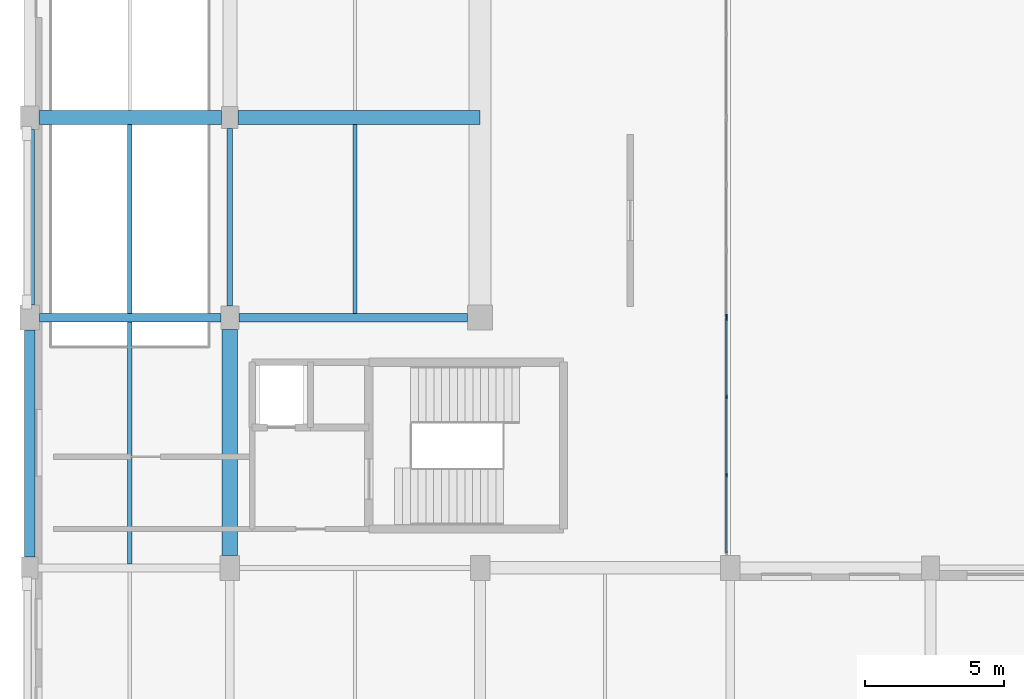
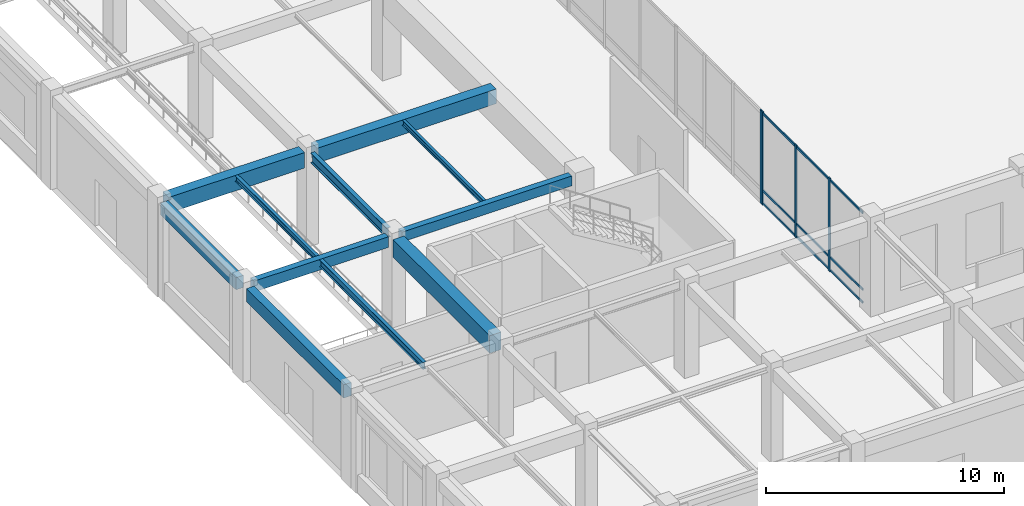
# One storey, part 9 of 64: 13 members, 11 beams, 2 elements without a shape of their own.
"""IFC4 building model written with IfcOpenShell, lengths in metres."""

from ifc_helpers import new_model, si_unit, direction, frame, origin, origin_2d, place, context, subcontext, project, spatial, rectangle, i_section, extrude, material, material_profile, profile_set, type_object, element, aggregate, save


model = new_model("IFC4")

# Units and contexts
model_context = context("Model", 3, precision=1e-05, world=origin(), true_north=direction((0.0, 1.0)))
body_context = subcontext(model_context, "Body", "Model", "MODEL_VIEW")
ifc_project = project(units=[si_unit("LENGTHUNIT", "METRE"), si_unit("AREAUNIT", "SQUARE_METRE"), si_unit("VOLUMEUNIT", "CUBIC_METRE"), si_unit("PLANEANGLEUNIT", "RADIAN"), si_unit("MASSUNIT", "GRAM", prefix="KILO")], contexts=[model_context])

# Site, building, storey
site_placement = place(None, origin())
site = spatial("IfcSite", under=ifc_project, at=site_placement, CompositionType="ELEMENT")
building_placement = place(site_placement, origin())
building = spatial("IfcBuilding", under=site, at=building_placement, Name="Clarverna Civic Hall", CompositionType="ELEMENT")
storey_placement = place(building_placement, origin())
storey = spatial("IfcBuildingStorey", under=building, at=storey_placement, Name="L00", CompositionType="ELEMENT", Elevation=0.0)

# Beams
ifc_material_1 = material(Name="Concrete C35/45", Category="concrete")
ifc_material_profile_1 = material_profile(ifc_material_1, rectangle(XDim=0.300048828125, YDim=0.550048828125, at=origin_2d()), Name="RC 300x550")
ifc_profile_set_1 = profile_set([ifc_material_profile_1], Name="Concrete C35/45")
beam_type_1 = type_object("IfcBeamType", Name="B-RC11", PredefinedType="BEAM", material=ifc_profile_set_1)
beam_1_placement = place(storey_placement, frame((0.35009765625, 23.0, 4.5048828125), z_axis=(1.0, 0.0, 0.0), x_axis=(0.0, 1.0, 0.0)))
element("IfcBeam", 1, at=beam_1_placement, inside=storey, type_object=beam_type_1, Name="B-RC11-018", PredefinedType="BEAM", context=body_context, shape_type="SweptSolid", body=[
    extrude(rectangle(XDim=0.300048828125, YDim=0.550048828125, at=origin_2d()), origin(), (0.0, 0.0, 1.0), 6.52490234375),
])
ifc_material_profile_2 = material_profile(ifc_material_1, rectangle(XDim=0.300048828125, YDim=0.5, at=origin_2d()), Name="RC 300x500")
ifc_profile_set_2 = profile_set([ifc_material_profile_2], Name="Concrete C35/45")
beam_type_2 = type_object("IfcBeamType", Name="B-RC12", PredefinedType="BEAM", material=ifc_profile_set_2)
beam_2_placement = place(storey_placement, frame((7.52490234375, 23.0, 4.530029296875), z_axis=(1.0, 0.0, 0.0), x_axis=(0.0, 1.0, 0.0)))
element("IfcBeam", 2, at=beam_2_placement, inside=storey, type_object=beam_type_2, Name="B-RC12-019", PredefinedType="BEAM", context=body_context, shape_type="SweptSolid", body=[
    extrude(rectangle(XDim=0.300048828125, YDim=0.5, at=origin_2d()), origin(), (0.0, 0.0, 1.0), 8.22509765625),
])
ifc_material_profile_3 = material_profile(ifc_material_1, rectangle(XDim=0.550048828125, YDim=0.89990234375, at=origin_2d()), Name="RC 550x900")
ifc_profile_set_3 = profile_set([ifc_material_profile_3], Name="Concrete C35/45")
beam_type_3 = type_object("IfcBeamType", Name="B-RC13", PredefinedType="BEAM", material=ifc_profile_set_3)
beam_3_placement = place(storey_placement, frame((7.199951171875, 14.449951171875, 4.330078125), z_axis=(0.0, 1.0, 0.0), x_axis=(-1.0, 0.0, 0.0)))
element("IfcBeam", 3, at=beam_3_placement, inside=storey, type_object=beam_type_3, Name="B-RC13-017", PredefinedType="BEAM", context=body_context, shape_type="SweptSolid", body=[
    extrude(rectangle(XDim=0.550048828125, YDim=0.89990234375, at=origin_2d()), origin(), (0.0, 0.0, 1.0), 8.125),
])
ifc_material_profile_4 = material_profile(ifc_material_1, rectangle(XDim=0.5, YDim=0.800048828125, at=origin_2d()), Name="RC 500x800")
ifc_profile_set_4 = profile_set([ifc_material_profile_4], Name="Concrete C35/45")
beam_type_4 = type_object("IfcBeamType", Name="B-RC14", PredefinedType="BEAM", material=ifc_profile_set_4)
beam_4_placement = place(storey_placement, frame((0.324951171875, 30.199951171875, 4.3798828125), z_axis=(1.0, 0.0, 0.0), x_axis=(0.0, 1.0, 0.0)))
element("IfcBeam", 4, at=beam_4_placement, inside=storey, type_object=beam_type_4, Name="B-RC14-018", PredefinedType="BEAM", context=body_context, shape_type="SweptSolid", body=[
    extrude(rectangle(XDim=0.5, YDim=0.800048828125, at=origin_2d()), origin(), (0.0, 0.0, 1.0), 6.574951171875),
])
ifc_material_profile_5 = material_profile(ifc_material_1, rectangle(XDim=0.5, YDim=0.75, at=origin_2d()), Name="RC 500x750")
ifc_profile_set_5 = profile_set([ifc_material_profile_5], Name="Concrete C35/45")
beam_type_5 = type_object("IfcBeamType", Name="B-RC15", PredefinedType="BEAM", material=ifc_profile_set_5)
beam_5_placement = place(storey_placement, frame((7.5, 30.199951171875, 4.405029296875), z_axis=(1.0, 0.0, 0.0), x_axis=(0.0, 1.0, 0.0)))
element("IfcBeam", 5, at=beam_5_placement, inside=storey, type_object=beam_type_5, Name="B-RC15-018", PredefinedType="BEAM", context=body_context, shape_type="SweptSolid", body=[
    extrude(rectangle(XDim=0.5, YDim=0.75, at=origin_2d()), origin(), (0.0, 0.0, 1.0), 8.699951171875),
])
ifc_material_profile_6 = material_profile(ifc_material_1, rectangle(XDim=0.3798828125, YDim=0.679931640625, at=origin_2d()), Name="RC 380x680")
ifc_profile_set_6 = profile_set([ifc_material_profile_6], Name="Concrete C35/45")
beam_type_6 = type_object("IfcBeamType", Name="B-SP2", PredefinedType="SPANDREL", material=ifc_profile_set_6)
beam_6_placement = place(storey_placement, frame((0.0, 14.39990234375, 4.43994140625), z_axis=(0.0, 1.0, 0.0), x_axis=(-1.0, 0.0, 0.0)))
element("IfcBeam", 6, at=beam_6_placement, inside=storey, type_object=beam_type_6, Name="B-SP2-042", PredefinedType="SPANDREL", context=body_context, shape_type="SweptSolid", body=[
    extrude(rectangle(XDim=0.3798828125, YDim=0.679931640625, at=origin_2d()), origin(), (0.0, 0.0, 1.0), 8.150146484375),
])
ifc_material_profile_7 = material_profile(ifc_material_1, rectangle(XDim=0.360107421875, YDim=0.6201171875, at=origin_2d()), Name="RC 360x620")
ifc_profile_set_7 = profile_set([ifc_material_profile_7], Name="Concrete C35/45")
beam_type_7 = type_object("IfcBeamType", Name="B-SP3", PredefinedType="SPANDREL", material=ifc_profile_set_7)
beam_7_placement = place(storey_placement, frame((0.0, 23.449951171875, 4.469970703125), z_axis=(0.0, 1.0, 0.0), x_axis=(-1.0, 0.0, 0.0)))
element("IfcBeam", 7, at=beam_7_placement, inside=storey, type_object=beam_type_7, Name="B-SP3-044", PredefinedType="SPANDREL", context=body_context, shape_type="SweptSolid", body=[
    extrude(rectangle(XDim=0.360107421875, YDim=0.6201171875, at=origin_2d()), origin(), (0.0, 0.0, 1.0), 6.324951171875),
])
ifc_material_2 = material(Name="Steel S355", Category="steel")
ifc_material_profile_8 = material_profile(ifc_material_2, i_section(OverallWidth=0.199951171875, OverallDepth=0.5, WebThickness=0.01025390625, FlangeThickness=0.01611328125, FilletRadius=0.02099609375, at=origin_2d()), Name="IPE 500")
ifc_profile_set_8 = profile_set([ifc_material_profile_8], Name="Steel S355")
beam_type_8 = type_object("IfcBeamType", Name="B-ST12", PredefinedType="BEAM", material=ifc_profile_set_8)
beam_8_placement = place(storey_placement, frame((7.199951171875, 23.425048828125, 4.530029296875), z_axis=(0.0, 1.0, 0.0), x_axis=(-1.0, 0.0, 0.0)))
element("IfcBeam", 8, at=beam_8_placement, inside=storey, type_object=beam_type_8, Name="B-ST12-003", PredefinedType="BEAM", context=body_context, shape_type="SweptSolid", body=[
    extrude(i_section(OverallWidth=0.199951171875, OverallDepth=0.5, WebThickness=0.01025390625, FlangeThickness=0.01611328125, FilletRadius=0.02099609375, at=origin_2d()), origin(), (0.0, 0.0, 1.0), 6.375),
])

# Curtain wall, member
ifc_material_3 = material(Name="Anodised Bronze Architectural Aluminium", Category="aluminium")
curtain_wall_type = type_object("IfcCurtainWallType", Name="CW-04", PredefinedType="USERDEFINED", material=ifc_material_3)
curtain_wall_1_placement = place(storey_placement, origin())
curtain_wall_1 = element("IfcCurtainWall", 9, at=curtain_wall_1_placement, inside=storey, type_object=curtain_wall_type, Name="CW-04-016", ObjectType="UNITISED CURTAIN WALL", PredefinedType="USERDEFINED")
ifc_material_profile_9 = material_profile(ifc_material_3, rectangle(XDim=0.06494140625, YDim=0.199951171875, at=origin_2d()), Name="BRONZE 65x200")
ifc_profile_set_9 = profile_set([ifc_material_profile_9], Name="Anodised Bronze Architectural Aluminium")
member_type_1 = type_object("IfcMemberType", Name="CWM-03", PredefinedType="MULLION", material=ifc_profile_set_9)
member_1_placement = place(storey_placement, frame((25.06005859375, 23.032958984375, 0.0), z_axis=(0.0, 0.0, 1.0), x_axis=(1.0, 0.0, 0.0)))
member_1 = element("IfcMember", 10, at=member_1_placement, type_object=member_type_1, Name="CWM-03-037", PredefinedType="MULLION", context=body_context, shape_type="SweptSolid", body=[
    extrude(rectangle(XDim=0.06494140625, YDim=0.199951171875, at=origin_2d()), origin(), (0.0, 0.0, 1.0), 4.780029296875),
])
aggregate(curtain_wall_1, [member_1])

# Curtain wall, members
curtain_wall_2_placement = place(storey_placement, origin())
curtain_wall_2 = element("IfcCurtainWall", 11, at=curtain_wall_2_placement, inside=storey, type_object=curtain_wall_type, Name="CW-04-017", ObjectType="UNITISED CURTAIN WALL", PredefinedType="USERDEFINED")
ifc_material_profile_10 = material_profile(ifc_material_3, rectangle(XDim=0.054931640625, YDim=0.139892578125, at=origin_2d()), Name="BRONZE 55x140")
ifc_profile_set_10 = profile_set([ifc_material_profile_10], Name="Anodised Bronze Architectural Aluminium")
member_type_2 = type_object("IfcMemberType", Name="CWM-04", PredefinedType="MULLION", material=ifc_profile_set_10)
member_2_placement = place(storey_placement, frame((25.06005859375, 22.967041015625, 0.0), z_axis=(0.0, 0.0, 1.0), x_axis=(1.0, 0.0, 0.0)))
member_2 = element("IfcMember", 12, at=member_2_placement, type_object=member_type_2, Name="CWM-04-035", PredefinedType="MULLION", context=body_context, shape_type="SweptSolid", body=[
    extrude(rectangle(XDim=0.054931640625, YDim=0.139892578125, at=origin_2d()), origin(), (0.0, 0.0, 1.0), 4.780029296875),
])
member_3_placement = place(storey_placement, frame((25.06005859375, 20.15234375, 0.0), z_axis=(0.0, 0.0, 1.0), x_axis=(1.0, 0.0, 0.0)))
member_3 = element("IfcMember", 13, at=member_3_placement, type_object=member_type_2, Name="CWM-04-036", PredefinedType="MULLION", context=body_context, shape_type="SweptSolid", body=[
    extrude(rectangle(XDim=0.054931640625, YDim=0.139892578125, at=origin_2d()), origin(), (0.0, 0.0, 1.0), 4.780029296875),
])
member_4_placement = place(storey_placement, frame((25.06005859375, 17.337646484375, 0.0), z_axis=(0.0, 0.0, 1.0), x_axis=(1.0, 0.0, 0.0)))
member_4 = element("IfcMember", 14, at=member_4_placement, type_object=member_type_2, Name="CWM-04-037", PredefinedType="MULLION", context=body_context, shape_type="SweptSolid", body=[
    extrude(rectangle(XDim=0.054931640625, YDim=0.139892578125, at=origin_2d()), origin(), (0.0, 0.0, 1.0), 4.780029296875),
])
ifc_material_profile_11 = material_profile(ifc_material_3, rectangle(XDim=0.054931640625, YDim=0.110107421875, at=origin_2d()), Name="BRONZE 55x110")
ifc_profile_set_11 = profile_set([ifc_material_profile_11], Name="Anodised Bronze Architectural Aluminium")
member_type_3 = type_object("IfcMemberType", Name="CWT-04", PredefinedType="USERDEFINED", material=ifc_profile_set_11)
member_5_placement = place(storey_placement, frame((25.06005859375, 22.951904296875, 0.094970703125), z_axis=(0.0, -1.0, 0.0), x_axis=(1.0, 0.0, 0.0)))
member_5 = element("IfcMember", 15, at=member_5_placement, type_object=member_type_3, Name="CWT-04-073", ObjectType="TRANSOM", PredefinedType="USERDEFINED", context=body_context, shape_type="SweptSolid", body=[
    extrude(rectangle(XDim=0.054931640625, YDim=0.110107421875, at=origin_2d()), origin(), (0.0, 0.0, 1.0), 2.78466796875),
])
member_6_placement = place(storey_placement, frame((25.06005859375, 22.951904296875, 0.75), z_axis=(0.0, -1.0, 0.0), x_axis=(1.0, 0.0, 0.0)))
member_6 = element("IfcMember", 16, at=member_6_placement, type_object=member_type_3, Name="CWT-04-074", ObjectType="TRANSOM", PredefinedType="USERDEFINED", context=body_context, shape_type="SweptSolid", body=[
    extrude(rectangle(XDim=0.054931640625, YDim=0.110107421875, at=origin_2d()), origin(), (0.0, 0.0, 1.0), 2.78466796875),
])
member_7_placement = place(storey_placement, frame((25.06005859375, 22.951904296875, 4.68505859375), z_axis=(0.0, -1.0, 0.0), x_axis=(1.0, 0.0, 0.0)))
member_7 = element("IfcMember", 17, at=member_7_placement, type_object=member_type_3, Name="CWT-04-075", ObjectType="TRANSOM", PredefinedType="USERDEFINED", context=body_context, shape_type="SweptSolid", body=[
    extrude(rectangle(XDim=0.054931640625, YDim=0.110107421875, at=origin_2d()), origin(), (0.0, 0.0, 1.0), 2.78466796875),
])
member_8_placement = place(storey_placement, frame((25.06005859375, 20.13720703125, 0.094970703125), z_axis=(0.0, -1.0, 0.0), x_axis=(1.0, 0.0, 0.0)))
member_8 = element("IfcMember", 18, at=member_8_placement, type_object=member_type_3, Name="CWT-04-076", ObjectType="TRANSOM", PredefinedType="USERDEFINED", context=body_context, shape_type="SweptSolid", body=[
    extrude(rectangle(XDim=0.054931640625, YDim=0.110107421875, at=origin_2d()), origin(), (0.0, 0.0, 1.0), 2.784423828125),
])
member_9_placement = place(storey_placement, frame((25.06005859375, 20.13720703125, 0.75), z_axis=(0.0, -1.0, 0.0), x_axis=(1.0, 0.0, 0.0)))
member_9 = element("IfcMember", 19, at=member_9_placement, type_object=member_type_3, Name="CWT-04-077", ObjectType="TRANSOM", PredefinedType="USERDEFINED", context=body_context, shape_type="SweptSolid", body=[
    extrude(rectangle(XDim=0.054931640625, YDim=0.110107421875, at=origin_2d()), origin(), (0.0, 0.0, 1.0), 2.784423828125),
])
member_10_placement = place(storey_placement, frame((25.06005859375, 20.13720703125, 4.68505859375), z_axis=(0.0, -1.0, 0.0), x_axis=(1.0, 0.0, 0.0)))
member_10 = element("IfcMember", 20, at=member_10_placement, type_object=member_type_3, Name="CWT-04-078", ObjectType="TRANSOM", PredefinedType="USERDEFINED", context=body_context, shape_type="SweptSolid", body=[
    extrude(rectangle(XDim=0.054931640625, YDim=0.110107421875, at=origin_2d()), origin(), (0.0, 0.0, 1.0), 2.784423828125),
])
member_11_placement = place(storey_placement, frame((25.06005859375, 17.32275390625, 0.094970703125), z_axis=(0.0, -1.0, 0.0), x_axis=(1.0, 0.0, 0.0)))
member_11 = element("IfcMember", 21, at=member_11_placement, type_object=member_type_3, Name="CWT-04-079", ObjectType="TRANSOM", PredefinedType="USERDEFINED", context=body_context, shape_type="SweptSolid", body=[
    extrude(rectangle(XDim=0.054931640625, YDim=0.110107421875, at=origin_2d()), origin(), (0.0, 0.0, 1.0), 2.78466796875),
])
member_12_placement = place(storey_placement, frame((25.06005859375, 17.32275390625, 0.75), z_axis=(0.0, -1.0, 0.0), x_axis=(1.0, 0.0, 0.0)))
member_12 = element("IfcMember", 22, at=member_12_placement, type_object=member_type_3, Name="CWT-04-080", ObjectType="TRANSOM", PredefinedType="USERDEFINED", context=body_context, shape_type="SweptSolid", body=[
    extrude(rectangle(XDim=0.054931640625, YDim=0.110107421875, at=origin_2d()), origin(), (0.0, 0.0, 1.0), 2.78466796875),
])
member_13_placement = place(storey_placement, frame((25.06005859375, 17.32275390625, 4.68505859375), z_axis=(0.0, -1.0, 0.0), x_axis=(1.0, 0.0, 0.0)))
member_13 = element("IfcMember", 23, at=member_13_placement, type_object=member_type_3, Name="CWT-04-081", ObjectType="TRANSOM", PredefinedType="USERDEFINED", context=body_context, shape_type="SweptSolid", body=[
    extrude(rectangle(XDim=0.054931640625, YDim=0.110107421875, at=origin_2d()), origin(), (0.0, 0.0, 1.0), 2.78466796875),
])
aggregate(curtain_wall_2, [member_2, member_3, member_4, member_5, member_6, member_7, member_8, member_9, member_10, member_11, member_12, member_13])

# Beams
ifc_material_profile_12 = material_profile(ifc_material_2, i_section(OverallWidth=0.169921875, OverallDepth=0.360107421875, WebThickness=0.008056640625, FlangeThickness=0.0126953125, FilletRadius=0.01806640625, at=origin_2d()), Name="IPE 360")
ifc_profile_set_12 = profile_set([ifc_material_profile_12], Name="Steel S355")
beam_type_9 = type_object("IfcBeamType", Name="J-ST1", PredefinedType="JOIST", material=ifc_profile_set_12)
beam_9_placement = place(storey_placement, frame((3.60009765625, 14.14990234375, 4.60009765625), z_axis=(0.0, 1.0, 0.0), x_axis=(-1.0, 0.0, 0.0)))
element("IfcBeam", 24, at=beam_9_placement, inside=storey, type_object=beam_type_9, Name="J-ST1-024", PredefinedType="JOIST", context=body_context, shape_type="SweptSolid", body=[
    extrude(i_section(OverallWidth=0.169921875, OverallDepth=0.360107421875, WebThickness=0.008056640625, FlangeThickness=0.0126953125, FilletRadius=0.01806640625, at=origin_2d()), origin(), (0.0, 0.0, 1.0), 8.7001953125),
])
ifc_material_profile_13 = material_profile(ifc_material_2, i_section(OverallWidth=0.14990234375, OverallDepth=0.300048828125, WebThickness=0.007080078125, FlangeThickness=0.0107421875, FilletRadius=0.014892578125, at=origin_2d()), Name="IPE 300")
ifc_profile_set_13 = profile_set([ifc_material_profile_13], Name="Steel S355")
beam_type_10 = type_object("IfcBeamType", Name="J-ST3", PredefinedType="JOIST", material=ifc_profile_set_13)
beam_10_placement = place(storey_placement, frame((3.60009765625, 23.14990234375, 4.6298828125), z_axis=(0.0, 1.0, 0.0), x_axis=(-1.0, 0.0, 0.0)))
element("IfcBeam", 25, at=beam_10_placement, inside=storey, type_object=beam_type_10, Name="J-ST3-024", PredefinedType="JOIST", context=body_context, shape_type="SweptSolid", body=[
    extrude(i_section(OverallWidth=0.14990234375, OverallDepth=0.300048828125, WebThickness=0.007080078125, FlangeThickness=0.0107421875, FilletRadius=0.014892578125, at=origin_2d()), origin(), (0.0, 0.0, 1.0), 6.800048828125),
])
ifc_material_profile_14 = material_profile(ifc_material_2, i_section(OverallWidth=0.135009765625, OverallDepth=0.27001953125, WebThickness=0.006591796875, FlangeThickness=0.01025390625, FilletRadius=0.014892578125, at=origin_2d()), Name="IPE 270")
ifc_profile_set_14 = profile_set([ifc_material_profile_14], Name="Steel S355")
beam_type_11 = type_object("IfcBeamType", Name="J-ST4", PredefinedType="JOIST", material=ifc_profile_set_14)
beam_11_placement = place(storey_placement, frame((11.699951171875, 23.14990234375, 4.64501953125), z_axis=(0.0, 1.0, 0.0), x_axis=(-1.0, 0.0, 0.0)))
element("IfcBeam", 26, at=beam_11_placement, inside=storey, type_object=beam_type_11, Name="J-ST4-026", PredefinedType="JOIST", context=body_context, shape_type="SweptSolid", body=[
    extrude(i_section(OverallWidth=0.135009765625, OverallDepth=0.27001953125, WebThickness=0.006591796875, FlangeThickness=0.01025390625, FilletRadius=0.014892578125, at=origin_2d()), origin(), (0.0, 0.0, 1.0), 6.800048828125),
])

save(model, "model.ifc")
